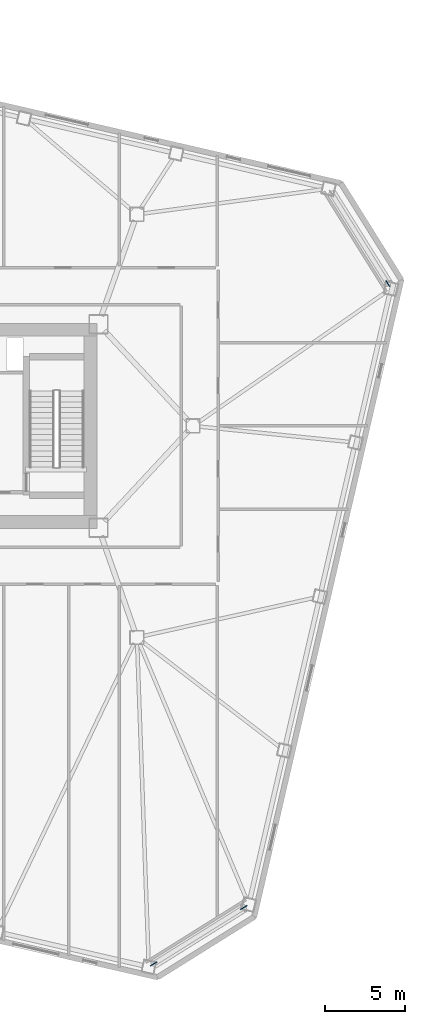
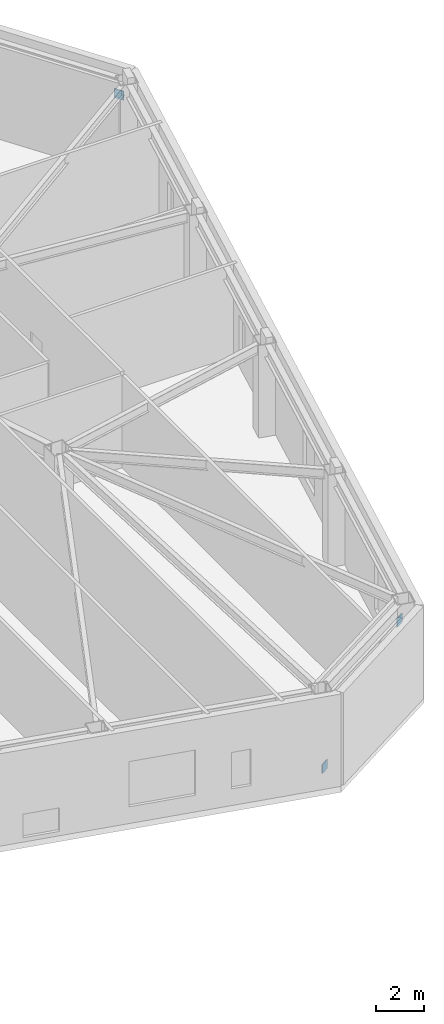
# One storey, part 17 of 20: 3 discrete accessories.
"""IFC4 building model written with IfcOpenShell, lengths in metres."""

from ifc_helpers import new_model, si_unit, direction, frame, origin, origin_2d, place, context, subcontext, project, spatial, rectangle, extrude, material, type_object, element, save


model = new_model("IFC4")

# Units and contexts
model_context = context("Model", 3, precision=1e-05, world=origin(), true_north=direction((0.0, 1.0)))
body_context = subcontext(model_context, "Body", "Model", "MODEL_VIEW")
ifc_project = project(units=[si_unit("LENGTHUNIT", "METRE"), si_unit("AREAUNIT", "SQUARE_METRE"), si_unit("VOLUMEUNIT", "CUBIC_METRE"), si_unit("PLANEANGLEUNIT", "RADIAN"), si_unit("MASSUNIT", "GRAM", prefix="KILO")], contexts=[model_context])

# Site, building, storey
site_placement = place(None, origin())
site = spatial("IfcSite", under=ifc_project, at=site_placement, CompositionType="ELEMENT")
building_placement = place(site_placement, origin())
building = spatial("IfcBuilding", under=site, at=building_placement, Name="Tavrogorsk Clinical Tower", CompositionType="ELEMENT")
storey_placement = place(building_placement, frame((0.0, 0.0, 13.39990234375)))
storey = spatial("IfcBuildingStorey", under=building, at=storey_placement, Name="L02", CompositionType="ELEMENT", Elevation=13.39990234375)

# Discrete accessories
ifc_material = material(Name="Structural steel S440", Category="steel")
discrete_accessory_type = type_object("IfcDiscreteAccessoryType", Name="GussetPlateBracket_25", PredefinedType="BRACKET", material=ifc_material)
for number, where, z_axis, x_axis, name in (
    (1, (25.548828125, -33.5634765625, 0.25341796875), (0.0, 0.0, 1.0), (0.848048096156, 0.529919264233, 0.0), "L02 Brace Gusset Plate EXOCRN-L02-1-A"),
    (2, (31.1669921875, -30.052734375, 3.586669921875), (0.0, 0.0, 1.0), (0.848048096156, 0.529919264233, 0.0), "L02 Brace Gusset Plate EXOCRN-L02-1-B"),
    (3, (40.1552734375, 8.878662109375, 3.586669921875), (0.0, 0.0, 1.0), (0.529919264233, -0.848048096156, 0.0), "L02 Brace Gusset Plate EXOCRN-L02-2-B"),
):
    element("IfcDiscreteAccessory", number, at=place(storey_placement, frame(where, z_axis=z_axis, x_axis=x_axis)), inside=storey, type_object=discrete_accessory_type, Name=name, PredefinedType="BRACKET", context=body_context, shape_type="SweptSolid", body=[
        extrude(rectangle(XDim=0.4599609375, YDim=0.0400390625, at=origin_2d()), origin(), (0.0, 0.0, 1.0), 0.4599609375),
    ])

save(model, "model.ifc")
